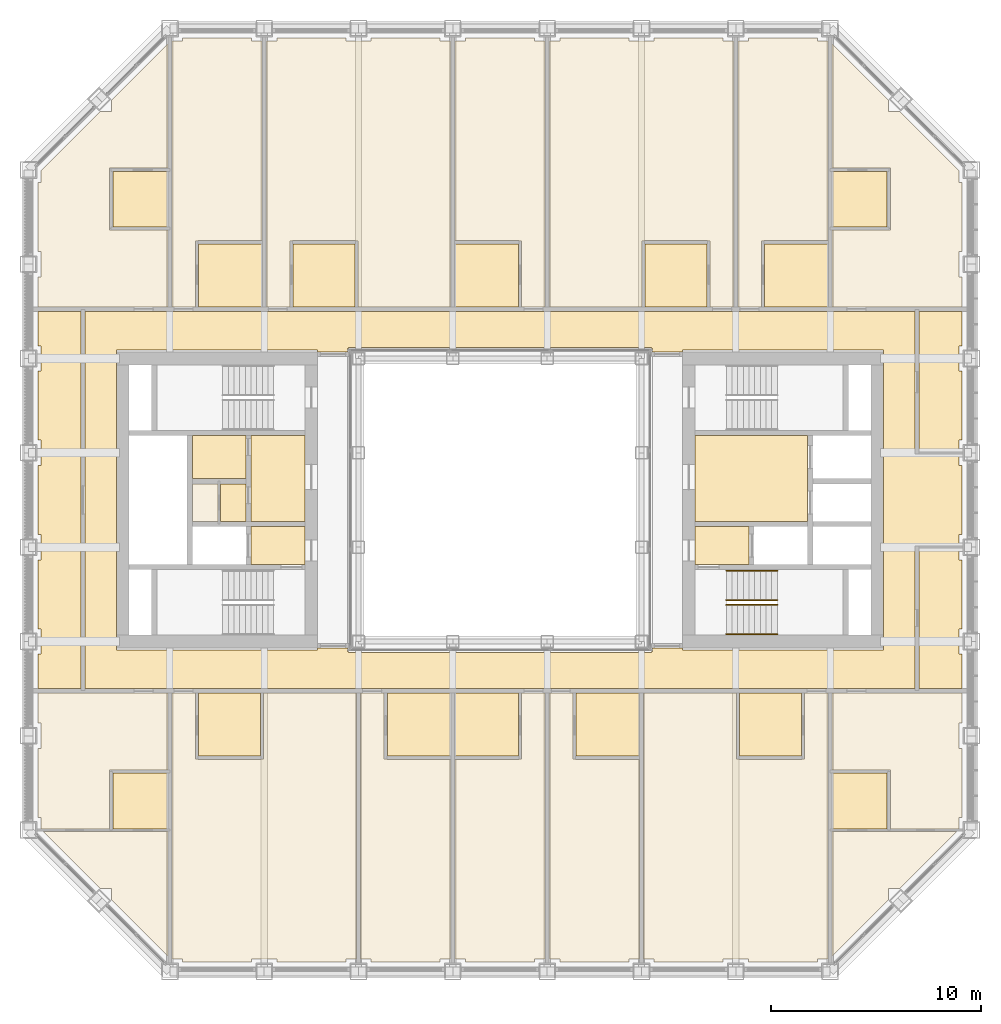
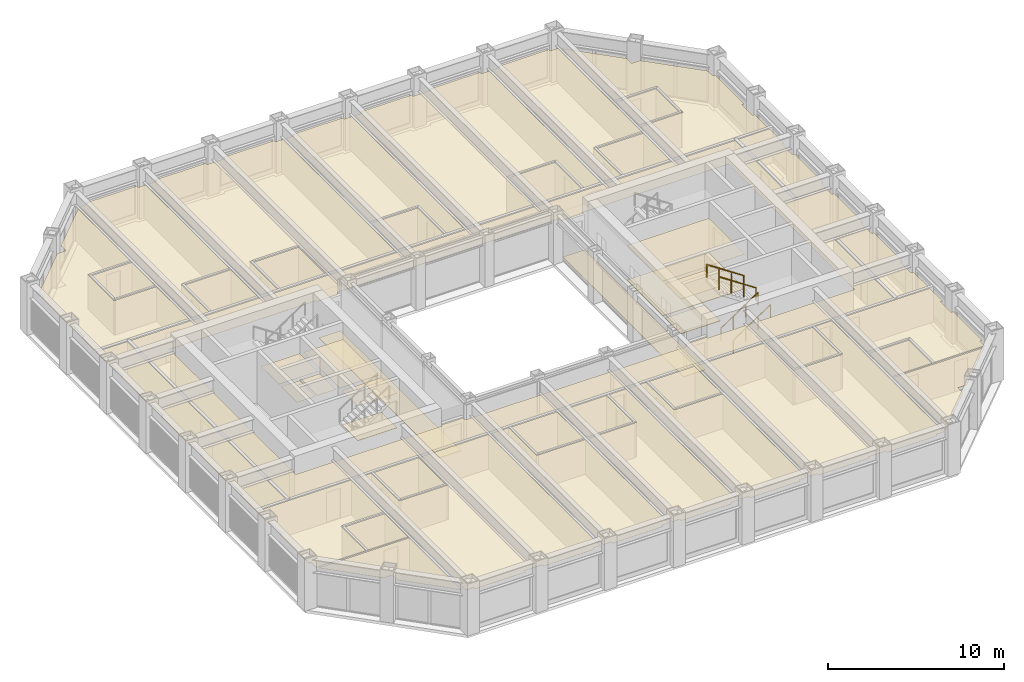
# One storey, part 16 of 17: 5 coverings, 4 railings.
"""IFC4 building model written with IfcOpenShell, lengths in metres."""

from ifc_helpers import new_model, si_unit, direction, frame, origin, origin_2d, place, context, subcontext, project, spatial, line, indexed_curve, circle, outline, extrude, material, layer, layer_set, type_object, element, save


model = new_model("IFC4")

# Units and contexts
model_context = context("Model", 3, precision=1e-05, world=origin(), true_north=direction((0.0, 1.0)))
body_context = subcontext(model_context, "Body", "Model", "MODEL_VIEW")
ifc_project = project(units=[si_unit("LENGTHUNIT", "METRE"), si_unit("AREAUNIT", "SQUARE_METRE"), si_unit("VOLUMEUNIT", "CUBIC_METRE"), si_unit("PLANEANGLEUNIT", "RADIAN"), si_unit("MASSUNIT", "GRAM", prefix="KILO")], contexts=[model_context])

# Site, building, storey
site_placement = place(None, origin())
site = spatial("IfcSite", under=ifc_project, at=site_placement, CompositionType="ELEMENT")
building_placement = place(site_placement, origin())
building = spatial("IfcBuilding", under=site, at=building_placement, Name="Msasa Ring Tower", CompositionType="ELEMENT")
storey_placement = place(building_placement, frame((0.0, 0.0, 158.0)))
storey = spatial("IfcBuildingStorey", under=building, at=storey_placement, Name="L41", CompositionType="ELEMENT", Elevation=158.0)

# Coverings
ifc_material_1 = material(Name="Gypsum plasterboard on a steel suspension grid", Category="steel")
ifc_layer_1 = layer(ifc_material_1, 0.014892578125)
ifc_layer_set_1 = layer_set([ifc_layer_1], Name="C1 SUSPENDED PLASTERBOARD CEILING 15")
covering_type_1 = type_object("IfcCoveringType", Name="C1 SUSPENDED PLASTERBOARD CEILING 15", PredefinedType="CEILING", material=ifc_layer_set_1)
covering_1_placement = place(storey_placement, frame((0.0, 0.0, 2.39990234375)))
element("IfcCovering", 1, at=covering_1_placement, inside=storey, type_object=covering_type_1, Name="Suspended Plasterboard Ceiling 15 circulation L41", PredefinedType="CEILING", context=body_context, shape_type="SweptSolid", body=[
    extrude(outline(indexed_curve([(19.799560546875, 2.199462890625), (21.8994140625, 2.199462890625), (21.8994140625, 1.6494140625), (22.049560546875, 1.6494140625), (22.049560546875, -1.6494140625), (21.8994140625, -1.6494140625), (21.8994140625, -2.199462890625), (19.799560546875, -2.199462890625), (19.799560546875, -8.99951171875), (-19.799560546875, -8.99951171875), (-19.799560546875, 8.99951171875), (19.799560546875, 8.99951171875)], segments=[line(1, 2, 3, 4, 5, 6, 7, 8, 9, 10, 11, 12, 1)], self_intersect=False), holes=[indexed_curve([(8.699462890625, -7.150390625), (18.300537109375, -7.150390625), (18.300537109375, 7.150390625), (8.699462890625, 7.150390625), (8.699462890625, 7.050537109375), (7.280029296875, 7.050537109375), (7.280517578125, 7.23046875), (7.22998046875, 7.23046875), (7.22998046875, 7.280029296875), (-7.22998046875, 7.280029296875), (-7.22998046875, 7.23046875), (-7.280517578125, 7.23046875), (-7.280029296875, 7.050537109375), (-8.699462890625, 7.050537109375), (-8.699462890625, 7.150390625), (-18.300537109375, 7.150390625), (-18.300537109375, -7.150390625), (-8.699462890625, -7.150390625), (-8.699462890625, -7.050537109375), (-7.280029296875, -7.050537109375), (-7.280517578125, -7.23046875), (-7.22998046875, -7.23046875), (-7.22998046875, -7.280029296875), (7.22998046875, -7.280029296875), (7.22998046875, -7.23046875), (7.280517578125, -7.23046875), (7.280029296875, -7.050537109375), (8.699462890625, -7.050537109375)], segments=[line(1, 2, 3, 4, 5, 6, 7, 8, 9, 10, 11, 12, 13, 14, 15, 16, 17, 18, 19, 20, 21, 22, 23, 24, 25, 26, 27, 28, 1)], self_intersect=False)]), origin(), (0.0, 0.0, 1.0), 0.01513671875),
    extrude(outline(indexed_curve([(-9.300537109375, -3.074462890625), (-11.87451171875, -3.074462890625), (-11.87451171875, -1.275390625), (-9.300537109375, -1.275390625)], segments=[line(1, 2, 3, 4, 1)], self_intersect=False)), origin(), (0.0, 0.0, 1.0), 0.01513671875),
    extrude(outline(indexed_curve([(11.87451171875, -3.074462890625), (9.300537109375, -3.074462890625), (9.300537109375, -1.275390625), (11.87451171875, -1.275390625)], segments=[line(1, 2, 3, 4, 1)], self_intersect=False)), origin(), (0.0, 0.0, 1.0), 0.01513671875),
    extrude(outline(indexed_curve([(14.674560546875, -1.0244140625), (9.300537109375, -1.0244140625), (9.300537109375, 3.074462890625), (14.674560546875, 3.074462890625)], segments=[line(1, 2, 3, 4, 1)], self_intersect=False)), origin(), (0.0, 0.0, 1.0), 0.01513671875),
])
covering_2_placement = place(storey_placement, frame((0.0, 0.0, 2.407958984375)))
element("IfcCovering", 2, at=covering_2_placement, inside=storey, type_object=covering_type_1, Name="Suspended Plasterboard Ceiling 15 L41", PredefinedType="CEILING", context=body_context, shape_type="SweptSolid", body=[
    extrude(outline(indexed_curve([(-22.049560546875, -11.8505859375), (-21.8994140625, -11.8505859375), (-21.8994140625, -10.6494140625), (-22.049560546875, -10.6494140625), (-22.049560546875, -9.200439453125), (-15.8505859375, -9.200439453125), (-15.8505859375, -12.869384765625), (-18.630615234375, -12.869384765625), (-18.630615234375, -15.694580078125), (-21.8994140625, -15.694580078125), (-21.8994140625, -15.1494140625), (-22.049560546875, -15.1494140625)], segments=[line(1, 2, 3, 4, 5, 6, 7, 8, 9, 10, 11, 12, 1)], self_intersect=False)), origin(), (0.0, 0.0, 1.0), 0.01513671875),
    extrude(outline(indexed_curve([(-18.630615234375, 12.869384765625), (-15.8505859375, 12.869384765625), (-15.8505859375, 9.200439453125), (-22.049560546875, 9.200439453125), (-22.049560546875, 10.6494140625), (-21.8994140625, 10.6494140625), (-21.8994140625, 11.8505859375), (-22.049560546875, 11.8505859375), (-22.049560546875, 15.1494140625), (-21.8994140625, 15.1494140625), (-21.8994140625, 15.71337890625), (-19.08837890625, 18.5244140625), (-18.5244140625, 18.5244140625), (-18.5244140625, 19.08837890625), (-15.8505859375, 21.762451171875), (-15.8505859375, 15.83056640625), (-18.630615234375, 15.83056640625)], segments=[line(1, 2, 3, 4, 5, 6, 7, 8, 9, 10, 11, 12, 13, 14, 15, 16, 17, 1)], self_intersect=False)), origin(), (0.0, 0.0, 1.0), 0.01513671875),
    extrude(outline(indexed_curve([(-18.5244140625, -19.08837890625), (-18.5244140625, -18.5244140625), (-19.08837890625, -18.5244140625), (-21.807373046875, -15.805419921875), (-15.8505859375, -15.805419921875), (-15.8505859375, -21.762451171875)], segments=[line(1, 2, 3, 4, 5, 6, 1)], self_intersect=False)), origin(), (0.0, 0.0, 1.0), 0.01513671875),
    extrude(outline(indexed_curve([(-14.525390625, -12.35009765625), (-14.39990234375, -12.3505859375), (-14.39990234375, -12.37548828125), (-11.39990234375, -12.37548828125), (-11.39990234375, -12.3505859375), (-11.2744140625, -12.35009765625), (-11.2744140625, -9.200439453125), (-6.8505859375, -9.200439453125), (-6.8505859375, -21.8994140625), (-7.3505859375, -21.8994140625), (-7.3505859375, -22.049560546875), (-10.6494140625, -22.049560546875), (-10.6494140625, -21.8994140625), (-11.8505859375, -21.8994140625), (-11.8505859375, -22.049560546875), (-15.1494140625, -22.049560546875), (-15.1494140625, -21.8994140625), (-15.6494140625, -21.8994140625), (-15.6494140625, -9.200439453125), (-14.525390625, -9.200439453125)], segments=[line(1, 2, 3, 4, 5, 6, 7, 8, 9, 10, 11, 12, 13, 14, 15, 16, 17, 18, 19, 20, 1)], self_intersect=False)), origin(), (0.0, 0.0, 1.0), 0.01513671875),
    extrude(outline(indexed_curve([(-14.39990234375, 12.3505859375), (-14.525390625, 12.35009765625), (-14.525390625, 9.200439453125), (-15.6494140625, 9.200439453125), (-15.6494140625, 21.8994140625), (-15.1494140625, 21.8994140625), (-15.1494140625, 22.049560546875), (-11.8505859375, 22.049560546875), (-11.8505859375, 21.8994140625), (-11.3505859375, 21.8994140625), (-11.3505859375, 12.37548828125), (-14.39990234375, 12.37548828125)], segments=[line(1, 2, 3, 4, 5, 6, 7, 8, 9, 10, 11, 12, 1)], self_intersect=False)), origin(), (0.0, 0.0, 1.0), 0.01513671875),
    extrude(outline(indexed_curve([(-14.674560546875, 0.7744140625), (-13.45556640625, 0.7744140625), (-13.45556640625, -1.0244140625), (-14.674560546875, -1.0244140625)], segments=[line(1, 2, 3, 4, 1)], self_intersect=False)), origin(), (0.0, 0.0, 1.0), 0.01513671875),
    extrude(outline(indexed_curve([(-6.89990234375, 12.3505859375), (-6.89990234375, 12.37548828125), (-9.89990234375, 12.37548828125), (-9.89990234375, 12.3505859375), (-10.025390625, 12.35009765625), (-10.025390625, 9.200439453125), (-11.1494140625, 9.200439453125), (-11.1494140625, 21.8994140625), (-10.6494140625, 21.8994140625), (-10.6494140625, 22.049560546875), (-7.3505859375, 22.049560546875), (-7.3505859375, 21.8994140625), (-6.1494140625, 21.8994140625), (-6.1494140625, 22.049560546875), (-2.8505859375, 22.049560546875), (-2.8505859375, 21.8994140625), (-2.3505859375, 21.8994140625), (-2.3505859375, 9.200439453125), (-6.7744140625, 9.200439453125), (-6.7744140625, 12.35009765625)], segments=[line(1, 2, 3, 4, 5, 6, 7, 8, 9, 10, 11, 12, 13, 14, 15, 16, 17, 18, 19, 20, 1)], self_intersect=False)), origin(), (0.0, 0.0, 1.0), 0.01513671875),
    extrude(outline(indexed_curve([(-6.1494140625, -22.049560546875), (-6.1494140625, -21.8994140625), (-6.6494140625, -21.8994140625), (-6.6494140625, -9.200439453125), (-5.525390625, -9.200439453125), (-5.525390625, -12.35009765625), (-5.39990234375, -12.3505859375), (-5.39990234375, -12.37548828125), (-2.3505859375, -12.37548828125), (-2.3505859375, -21.8994140625), (-2.8505859375, -21.8994140625), (-2.8505859375, -22.049560546875)], segments=[line(1, 2, 3, 4, 5, 6, 7, 8, 9, 10, 11, 12, 1)], self_intersect=False)), origin(), (0.0, 0.0, 1.0), 0.01513671875),
    extrude(outline(indexed_curve([(2.1494140625, -9.200439453125), (2.1494140625, -21.8994140625), (1.6494140625, -21.8994140625), (1.6494140625, -22.049560546875), (-1.6494140625, -22.049560546875), (-1.6494140625, -21.8994140625), (-2.1494140625, -21.8994140625), (-2.1494140625, -12.37548828125), (0.89990234375, -12.37548828125), (0.89990234375, -12.3505859375), (1.025390625, -12.35009765625), (1.025390625, -9.200439453125)], segments=[line(1, 2, 3, 4, 5, 6, 7, 8, 9, 10, 11, 12, 1)], self_intersect=False)), origin(), (0.0, 0.0, 1.0), 0.01513671875),
    extrude(outline(indexed_curve([(1.6494140625, 22.049560546875), (1.6494140625, 21.8994140625), (2.1494140625, 21.8994140625), (2.1494140625, 9.200439453125), (1.025390625, 9.200439453125), (1.025390625, 12.35009765625), (0.89990234375, 12.3505859375), (0.89990234375, 12.37548828125), (-2.1494140625, 12.37548828125), (-2.1494140625, 21.8994140625), (-1.6494140625, 21.8994140625), (-1.6494140625, 22.049560546875)], segments=[line(1, 2, 3, 4, 5, 6, 7, 8, 9, 10, 11, 12, 1)], self_intersect=False)), origin(), (0.0, 0.0, 1.0), 0.01513671875),
    extrude(outline(indexed_curve([(2.8505859375, -22.049560546875), (2.8505859375, -21.8994140625), (2.3505859375, -21.8994140625), (2.3505859375, -9.200439453125), (3.474609375, -9.200439453125), (3.474609375, -12.35009765625), (3.60009765625, -12.3505859375), (3.60009765625, -12.37548828125), (6.6494140625, -12.37548828125), (6.6494140625, -21.8994140625), (6.1494140625, -21.8994140625), (6.1494140625, -22.049560546875)], segments=[line(1, 2, 3, 4, 5, 6, 7, 8, 9, 10, 11, 12, 1)], self_intersect=False)), origin(), (0.0, 0.0, 1.0), 0.01513671875),
    extrude(outline(indexed_curve([(6.89990234375, 12.3505859375), (6.7744140625, 12.35009765625), (6.7744140625, 9.200439453125), (2.3505859375, 9.200439453125), (2.3505859375, 21.8994140625), (2.8505859375, 21.8994140625), (2.8505859375, 22.049560546875), (6.1494140625, 22.049560546875), (6.1494140625, 21.8994140625), (7.3505859375, 21.8994140625), (7.3505859375, 22.049560546875), (10.6494140625, 22.049560546875), (10.6494140625, 21.8994140625), (11.1494140625, 21.8994140625), (11.1494140625, 9.200439453125), (10.025390625, 9.200439453125), (10.025390625, 12.35009765625), (9.89990234375, 12.3505859375), (9.89990234375, 12.37548828125), (6.89990234375, 12.37548828125)], segments=[line(1, 2, 3, 4, 5, 6, 7, 8, 9, 10, 11, 12, 13, 14, 15, 16, 17, 18, 19, 20, 1)], self_intersect=False)), origin(), (0.0, 0.0, 1.0), 0.01513671875),
    extrude(outline(indexed_curve([(11.2744140625, -12.35009765625), (11.39990234375, -12.3505859375), (11.39990234375, -12.37548828125), (14.39990234375, -12.37548828125), (14.39990234375, -12.3505859375), (14.525390625, -12.35009765625), (14.525390625, -9.200439453125), (15.6494140625, -9.200439453125), (15.6494140625, -21.8994140625), (15.1494140625, -21.8994140625), (15.1494140625, -22.049560546875), (11.8505859375, -22.049560546875), (11.8505859375, -21.8994140625), (10.6494140625, -21.8994140625), (10.6494140625, -22.049560546875), (7.3505859375, -22.049560546875), (7.3505859375, -21.8994140625), (6.8505859375, -21.8994140625), (6.8505859375, -9.200439453125), (11.2744140625, -9.200439453125)], segments=[line(1, 2, 3, 4, 5, 6, 7, 8, 9, 10, 11, 12, 13, 14, 15, 16, 17, 18, 19, 20, 1)], self_intersect=False)), origin(), (0.0, 0.0, 1.0), 0.01513671875),
    extrude(outline(indexed_curve([(11.3505859375, 9.200439453125), (11.3505859375, 21.8994140625), (11.8505859375, 21.8994140625), (11.8505859375, 22.049560546875), (15.1494140625, 22.049560546875), (15.1494140625, 21.8994140625), (15.6494140625, 21.8994140625), (15.6494140625, 12.37548828125), (12.60009765625, 12.37548828125), (12.60009765625, 12.3505859375), (12.474609375, 12.35009765625), (12.474609375, 9.200439453125)], segments=[line(1, 2, 3, 4, 5, 6, 7, 8, 9, 10, 11, 12, 1)], self_intersect=False)), origin(), (0.0, 0.0, 1.0), 0.01513671875),
    extrude(outline(indexed_curve([(19.08837890625, -18.5244140625), (18.5244140625, -18.5244140625), (18.5244140625, -19.08837890625), (15.8505859375, -21.762451171875), (15.8505859375, -15.805419921875), (21.807373046875, -15.805419921875)], segments=[line(1, 2, 3, 4, 5, 6, 1)], self_intersect=False)), origin(), (0.0, 0.0, 1.0), 0.01513671875),
    extrude(outline(indexed_curve([(15.8505859375, -12.869384765625), (15.8505859375, -9.200439453125), (22.049560546875, -9.200439453125), (22.049560546875, -10.6494140625), (21.8994140625, -10.6494140625), (21.8994140625, -11.8505859375), (22.049560546875, -11.8505859375), (22.049560546875, -15.1494140625), (21.8994140625, -15.1494140625), (21.8994140625, -15.694580078125), (18.630615234375, -15.694580078125), (18.630615234375, -12.869384765625)], segments=[line(1, 2, 3, 4, 5, 6, 7, 8, 9, 10, 11, 12, 1)], self_intersect=False)), origin(), (0.0, 0.0, 1.0), 0.01513671875),
    extrude(outline(indexed_curve([(15.8505859375, 21.762451171875), (18.5244140625, 19.08837890625), (18.5244140625, 18.5244140625), (19.08837890625, 18.5244140625), (21.8994140625, 15.71337890625), (21.8994140625, 15.1494140625), (22.049560546875, 15.1494140625), (22.049560546875, 11.8505859375), (21.8994140625, 11.8505859375), (21.8994140625, 10.6494140625), (22.049560546875, 10.6494140625), (22.049560546875, 9.200439453125), (15.8505859375, 9.200439453125), (15.8505859375, 12.869384765625), (18.630615234375, 12.869384765625), (18.630615234375, 15.83056640625), (15.8505859375, 15.83056640625)], segments=[line(1, 2, 3, 4, 5, 6, 7, 8, 9, 10, 11, 12, 13, 14, 15, 16, 17, 1)], self_intersect=False)), origin(), (0.0, 0.0, 1.0), 0.01513671875),
])
ifc_material_2 = material(Name="Moisture-resistant gypsum plasterboard on a steel suspension grid", Category="steel")
ifc_layer_2 = layer(ifc_material_2, 0.014892578125)
ifc_layer_set_2 = layer_set([ifc_layer_2], Name="C2 MOISTURE-RESISTANT PLASTERBOARD CEILING 15")
covering_type_2 = type_object("IfcCoveringType", Name="C2 MOISTURE-RESISTANT PLASTERBOARD CEILING 15", PredefinedType="CEILING", material=ifc_layer_set_2)
covering_3_placement = place(storey_placement, frame((0.0, 0.0, 2.39990234375)))
element("IfcCovering", 3, at=covering_3_placement, inside=storey, type_object=covering_type_2, Name="Moisture-Resistant Plasterboard Ceiling 15 L41", PredefinedType="CEILING", context=body_context, shape_type="SweptSolid", body=[
    extrude(outline(indexed_curve([(-18.469482421875, -15.694580078125), (-18.469482421875, -13.030517578125), (-15.8505859375, -13.030517578125), (-15.8505859375, -15.694580078125)], segments=[line(1, 2, 3, 4, 1)], self_intersect=False)), origin(), (0.0, 0.0, 1.0), 0.01513671875),
    extrude(outline(indexed_curve([(-18.469482421875, 15.66943359375), (-15.8505859375, 15.66943359375), (-15.8505859375, 13.030517578125), (-18.469482421875, 13.030517578125)], segments=[line(1, 2, 3, 4, 1)], self_intersect=False)), origin(), (0.0, 0.0, 1.0), 0.01513671875),
    extrude(outline(indexed_curve([(-11.425537109375, -9.200439453125), (-11.425537109375, -12.224609375), (-14.37451171875, -12.224609375), (-14.37451171875, -9.200439453125)], segments=[line(1, 2, 3, 4, 1)], self_intersect=False)), origin(), (0.0, 0.0, 1.0), 0.01513671875),
    extrude(outline(indexed_curve([(-11.3505859375, 9.200439453125), (-14.37451171875, 9.200439453125), (-14.37451171875, 12.224609375), (-11.3505859375, 12.224609375)], segments=[line(1, 2, 3, 4, 1)], self_intersect=False)), origin(), (0.0, 0.0, 1.0), 0.01513671875),
    extrude(outline(indexed_curve([(-9.87451171875, 9.200439453125), (-9.87451171875, 12.224609375), (-6.925537109375, 12.224609375), (-6.925537109375, 9.200439453125)], segments=[line(1, 2, 3, 4, 1)], self_intersect=False)), origin(), (0.0, 0.0, 1.0), 0.01513671875),
    extrude(outline(indexed_curve([(-2.3505859375, -9.200439453125), (-2.3505859375, -12.224609375), (-5.37451171875, -12.224609375), (-5.37451171875, -9.200439453125)], segments=[line(1, 2, 3, 4, 1)], self_intersect=False)), origin(), (0.0, 0.0, 1.0), 0.01513671875),
    extrude(outline(indexed_curve([(-2.1494140625, -9.200439453125), (0.87451171875, -9.200439453125), (0.87451171875, -12.224609375), (-2.1494140625, -12.224609375)], segments=[line(1, 2, 3, 4, 1)], self_intersect=False)), origin(), (0.0, 0.0, 1.0), 0.01513671875),
    extrude(outline(indexed_curve([(-2.1494140625, 12.224609375), (0.87451171875, 12.224609375), (0.87451171875, 9.200439453125), (-2.1494140625, 9.200439453125)], segments=[line(1, 2, 3, 4, 1)], self_intersect=False)), origin(), (0.0, 0.0, 1.0), 0.01513671875),
    extrude(outline(indexed_curve([(6.6494140625, -9.200439453125), (6.6494140625, -12.224609375), (3.62548828125, -12.224609375), (3.62548828125, -9.200439453125)], segments=[line(1, 2, 3, 4, 1)], self_intersect=False)), origin(), (0.0, 0.0, 1.0), 0.01513671875),
    extrude(outline(indexed_curve([(6.925537109375, 9.200439453125), (6.925537109375, 12.224609375), (9.87451171875, 12.224609375), (9.87451171875, 9.200439453125)], segments=[line(1, 2, 3, 4, 1)], self_intersect=False)), origin(), (0.0, 0.0, 1.0), 0.01513671875),
    extrude(outline(indexed_curve([(14.37451171875, -9.200439453125), (14.37451171875, -12.224609375), (11.425537109375, -12.224609375), (11.425537109375, -9.200439453125)], segments=[line(1, 2, 3, 4, 1)], self_intersect=False)), origin(), (0.0, 0.0, 1.0), 0.01513671875),
    extrude(outline(indexed_curve([(15.6494140625, 9.200439453125), (12.62548828125, 9.200439453125), (12.62548828125, 12.224609375), (15.6494140625, 12.224609375)], segments=[line(1, 2, 3, 4, 1)], self_intersect=False)), origin(), (0.0, 0.0, 1.0), 0.01513671875),
    extrude(outline(indexed_curve([(15.8505859375, -15.694580078125), (15.8505859375, -13.030517578125), (18.469482421875, -13.030517578125), (18.469482421875, -15.694580078125)], segments=[line(1, 2, 3, 4, 1)], self_intersect=False)), origin(), (0.0, 0.0, 1.0), 0.01513671875),
    extrude(outline(indexed_curve([(15.8505859375, 15.66943359375), (18.469482421875, 15.66943359375), (18.469482421875, 13.030517578125), (15.8505859375, 13.030517578125)], segments=[line(1, 2, 3, 4, 1)], self_intersect=False)), origin(), (0.0, 0.0, 1.0), 0.01513671875),
])
ifc_material_3 = material(Name="Mineral fibre ceiling tiles on an exposed steel grid", Category="steel")
ifc_layer_3 = layer(ifc_material_3, 0.02001953125)
ifc_layer_set_3 = layer_set([ifc_layer_3], Name="C3 ACOUSTIC MINERAL FIBRE TILE CEILING 20")
covering_type_3 = type_object("IfcCoveringType", Name="C3 ACOUSTIC MINERAL FIBRE TILE CEILING 20", PredefinedType="CEILING", material=ifc_layer_set_3)
covering_4_placement = place(storey_placement, frame((0.0, 0.0, 2.408935546875)))
element("IfcCovering", 4, at=covering_4_placement, inside=storey, type_object=covering_type_3, Name="Acoustic Mineral Fibre Tile Ceiling 20 L41", PredefinedType="CEILING", context=body_context, shape_type="SweptSolid", body=[
    extrude(outline(indexed_curve([(-20.00048828125, 8.99951171875), (-20.00048828125, -8.99951171875), (-22.049560546875, -8.99951171875), (-22.049560546875, -7.3505859375), (-21.8994140625, -7.3505859375), (-21.8994140625, -6.1494140625), (-22.049560546875, -6.1494140625), (-22.049560546875, -2.8505859375), (-21.8994140625, -2.8505859375), (-21.8994140625, -1.6494140625), (-22.049560546875, -1.6494140625), (-22.049560546875, 1.6494140625), (-21.8994140625, 1.6494140625), (-21.8994140625, 2.8505859375), (-22.049560546875, 2.8505859375), (-22.049560546875, 6.1494140625), (-21.8994140625, 6.1494140625), (-21.8994140625, 7.3505859375), (-22.049560546875, 7.3505859375), (-22.049560546875, 8.99951171875)], segments=[line(1, 2, 3, 4, 5, 6, 7, 8, 9, 10, 11, 12, 13, 14, 15, 16, 17, 18, 19, 20, 1)], self_intersect=False)), origin(), (0.0, 0.0, 1.0), 0.02001953125),
    extrude(outline(indexed_curve([(-14.674560546875, 3.074462890625), (-12.12548828125, 3.074462890625), (-12.12548828125, 1.025390625), (-14.674560546875, 1.025390625)], segments=[line(1, 2, 3, 4, 1)], self_intersect=False)), origin(), (0.0, 0.0, 1.0), 0.02001953125),
    extrude(outline(indexed_curve([(-13.344482421875, -1.0244140625), (-13.344482421875, 0.7744140625), (-12.12548828125, 0.7744140625), (-12.12548828125, -1.0244140625)], segments=[line(1, 2, 3, 4, 1)], self_intersect=False)), origin(), (0.0, 0.0, 1.0), 0.02001953125),
    extrude(outline(indexed_curve([(-9.300537109375, -1.0244140625), (-11.87451171875, -1.0244140625), (-11.87451171875, 3.074462890625), (-9.300537109375, 3.074462890625)], segments=[line(1, 2, 3, 4, 1)], self_intersect=False)), origin(), (0.0, 0.0, 1.0), 0.02001953125),
    extrude(outline(indexed_curve([(21.8994140625, -2.305419921875), (21.8994140625, -2.8505859375), (22.049560546875, -2.8505859375), (22.049560546875, -6.1494140625), (21.8994140625, -6.1494140625), (21.8994140625, -7.3505859375), (22.049560546875, -7.3505859375), (22.049560546875, -8.99951171875), (20.00048828125, -8.99951171875), (20.00048828125, -2.305419921875)], segments=[line(1, 2, 3, 4, 5, 6, 7, 8, 9, 10, 1)], self_intersect=False)), origin(), (0.0, 0.0, 1.0), 0.02001953125),
    extrude(outline(indexed_curve([(22.049560546875, 7.3505859375), (21.8994140625, 7.3505859375), (21.8994140625, 6.1494140625), (22.049560546875, 6.1494140625), (22.049560546875, 2.8505859375), (21.8994140625, 2.8505859375), (21.8994140625, 2.305419921875), (20.00048828125, 2.305419921875), (20.00048828125, 8.99951171875), (22.049560546875, 8.99951171875)], segments=[line(1, 2, 3, 4, 5, 6, 7, 8, 9, 10, 1)], self_intersect=False)), origin(), (0.0, 0.0, 1.0), 0.02001953125),
])
ifc_material_4 = material(Name="Honed granite tiles on a mortar bed", Category="masonry")
ifc_layer_4 = layer(ifc_material_4, 0.030029296875)
ifc_layer_set_4 = layer_set([ifc_layer_4], Name="F1 HONED GRANITE ON BEDDING 30")
covering_type_4 = type_object("IfcCoveringType", Name="F1 HONED GRANITE ON BEDDING 30", PredefinedType="FLOORING", material=ifc_layer_set_4)
covering_5_placement = place(storey_placement, origin())
element("IfcCovering", 5, at=covering_5_placement, inside=storey, type_object=covering_type_4, Name="Honed Granite On Bedding 30 L41", PredefinedType="FLOORING", context=body_context, shape_type="SweptSolid", body=[
    extrude(outline(indexed_curve([(-11.87451171875, -3.074462890625), (-11.87451171875, -1.275390625), (-9.300537109375, -1.275390625), (-9.300537109375, -3.074462890625)], segments=[line(1, 2, 3, 4, 1)], self_intersect=False)), origin(), (0.0, 0.0, 1.0), 0.030029296875),
    extrude(outline(indexed_curve([(-8.699462890625, -6.849609375), (-8.699462890625, 6.849609375), (-7.280029296875, 6.849609375), (-7.280029296875, -6.849609375)], segments=[line(1, 2, 3, 4, 1)], self_intersect=False)), origin(), (0.0, 0.0, 1.0), 0.030029296875),
    extrude(outline(indexed_curve([(8.699462890625, 6.849609375), (8.699462890625, -6.849609375), (7.280029296875, -6.849609375), (7.280029296875, 6.849609375)], segments=[line(1, 2, 3, 4, 1)], self_intersect=False)), origin(), (0.0, 0.0, 1.0), 0.030029296875),
    extrude(outline(indexed_curve([(9.300537109375, -3.074462890625), (9.300537109375, -1.275390625), (11.87451171875, -1.275390625), (11.87451171875, -3.074462890625)], segments=[line(1, 2, 3, 4, 1)], self_intersect=False)), origin(), (0.0, 0.0, 1.0), 0.030029296875),
    extrude(outline(indexed_curve([(9.300537109375, 3.074462890625), (14.674560546875, 3.074462890625), (14.674560546875, -1.0244140625), (9.300537109375, -1.0244140625)], segments=[line(1, 2, 3, 4, 1)], self_intersect=False)), origin(), (0.0, 0.0, 1.0), 0.030029296875),
])

# Railings
ifc_material_5 = material(Name="Stainless steel", Category="steel")
railing_type = type_object("IfcRailingType", Name="HR1 HANDRAIL 900", PredefinedType="HANDRAIL", material=ifc_material_5)
for number, where, name in (
    (6, (10.800048828125, -6.39990234375, 0.179931640625), "Handrail stair SEA L41 1"),
    (7, (10.800048828125, -5.0, 0.179931640625), "Handrail stair SEA L41 2"),
):
    element("IfcRailing", number, at=place(storey_placement, frame(where)), inside=storey, type_object=railing_type, Name=name, PredefinedType="HANDRAIL", context=body_context, shape_type="SweptSolid", body=[
        extrude(circle(Radius=0.02392578125, at=origin_2d()), frame((0.0, 0.0, 0.8759765625), z_axis=(0.832024571796, 0.0, 0.554738778101), x_axis=(0.0, 1.0, 0.0)), (0.0, 0.0, 1.0), 2.92041015625),
        extrude(circle(Radius=0.02099609375, at=origin_2d()), origin(), (0.0, 0.0, 1.0), 0.851806640625),
        extrude(circle(Radius=0.02099609375, at=origin_2d()), frame((0.81005859375, 0.0, 0.5400390625)), (0.0, 0.0, 1.0), 0.851806640625),
        extrude(circle(Radius=0.02099609375, at=origin_2d()), frame((1.619873046875, 0.0, 1.080078125)), (0.0, 0.0, 1.0), 0.851806640625),
        extrude(circle(Radius=0.02099609375, at=origin_2d()), frame((2.429931640625, 0.0, 1.6201171875)), (0.0, 0.0, 1.0), 0.851806640625),
    ])
for number, where, name in (
    (8, (13.22998046875, -4.77490234375, 1.97998046875), "Handrail stair SEA L41 3"),
    (9, (13.22998046875, -3.375, 1.97998046875), "Handrail stair SEA L41 4"),
):
    element("IfcRailing", number, at=place(storey_placement, frame(where)), inside=storey, type_object=railing_type, Name=name, PredefinedType="HANDRAIL", context=body_context, shape_type="SweptSolid", body=[
        extrude(circle(Radius=0.02392578125, at=origin_2d()), frame((0.0, 0.0, 0.8759765625), z_axis=(-0.832024571796, 0.0, 0.554738778101), x_axis=(0.0, -1.0, 0.0)), (0.0, 0.0, 1.0), 2.92041015625),
        extrude(circle(Radius=0.02099609375, at=origin_2d()), origin(), (0.0, 0.0, 1.0), 0.851806640625),
        extrude(circle(Radius=0.02099609375, at=origin_2d()), frame((-0.81005859375, 0.0, 0.5400390625)), (0.0, 0.0, 1.0), 0.851806640625),
        extrude(circle(Radius=0.02099609375, at=origin_2d()), frame((-1.619873046875, 0.0, 1.080078125)), (0.0, 0.0, 1.0), 0.851806640625),
        extrude(circle(Radius=0.02099609375, at=origin_2d()), frame((-2.429931640625, 0.0, 1.6201171875)), (0.0, 0.0, 1.0), 0.851806640625),
    ])

save(model, "model.ifc")
